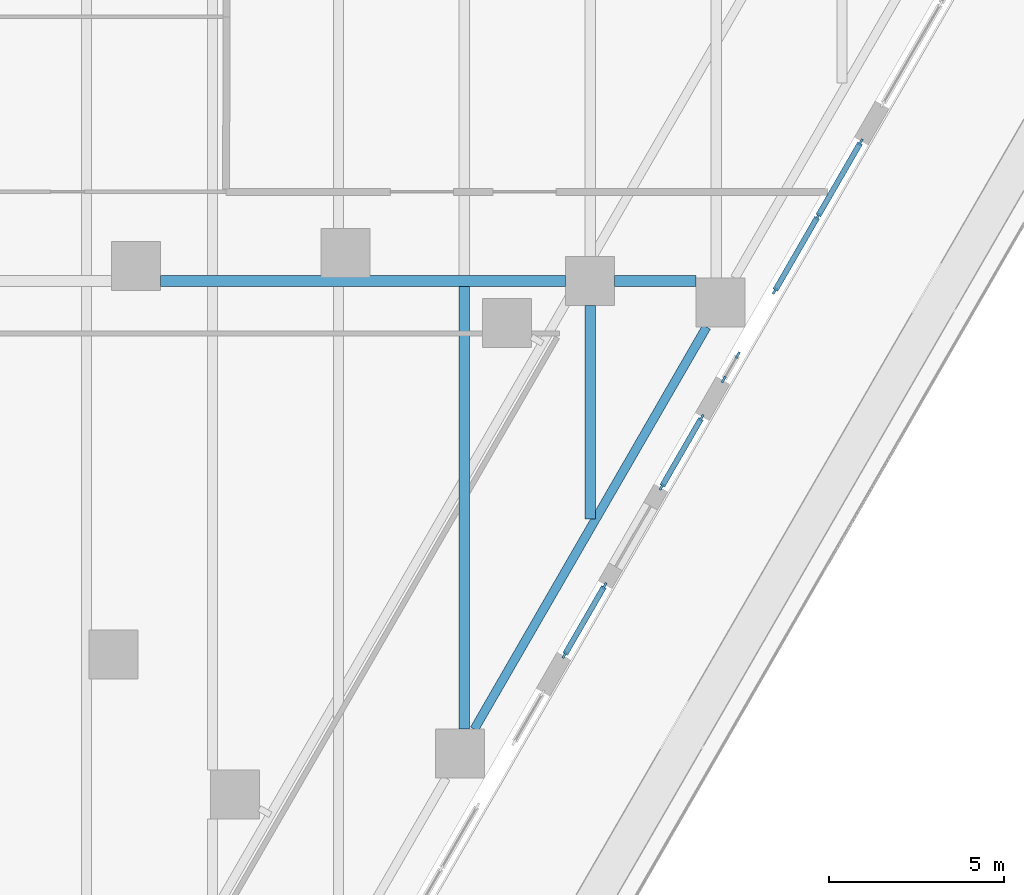
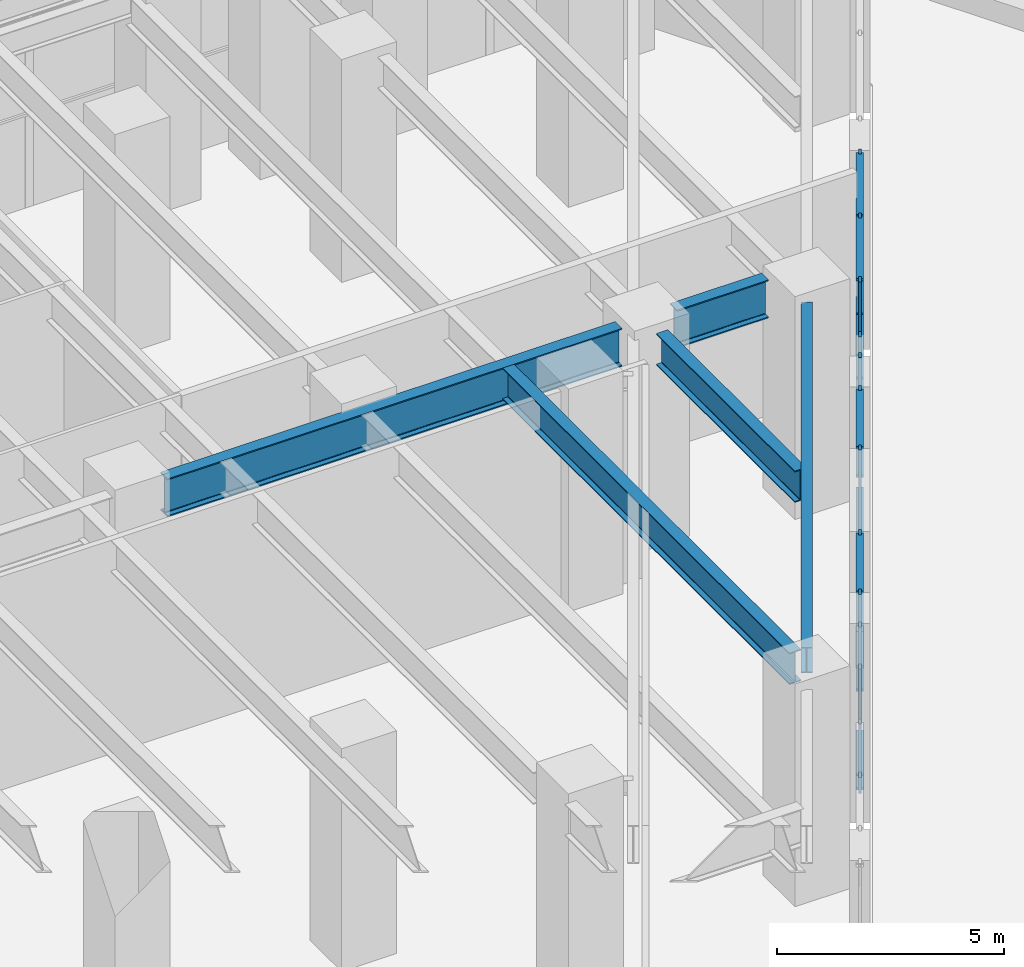
# One storey, part 16 of 40: 21 members, 5 beams, 4 elements without a shape of their own.
"""IFC4 building model written with IfcOpenShell, lengths in metres."""

from ifc_helpers import new_model, si_unit, direction, frame, origin, origin_2d, place, context, subcontext, project, spatial, rectangle, i_section, extrude, material, material_profile, profile_set, type_object, element, aggregate, save


model = new_model("IFC4")

# Units and contexts
model_context = context("Model", 3, precision=1e-05, world=origin(), true_north=direction((0.0, 1.0)))
body_context = subcontext(model_context, "Body", "Model", "MODEL_VIEW")
ifc_project = project(units=[si_unit("LENGTHUNIT", "METRE"), si_unit("AREAUNIT", "SQUARE_METRE"), si_unit("VOLUMEUNIT", "CUBIC_METRE"), si_unit("PLANEANGLEUNIT", "RADIAN"), si_unit("MASSUNIT", "GRAM", prefix="KILO")], contexts=[model_context])

# Site, building, storey
site_placement = place(None, origin())
site = spatial("IfcSite", under=ifc_project, at=site_placement, CompositionType="ELEMENT")
building_placement = place(site_placement, origin())
building = spatial("IfcBuilding", under=site, at=building_placement, Name="Aloe Facet Convention Tower", CompositionType="ELEMENT")
storey_placement = place(building_placement, frame((0.0, 0.0, 13.5)))
storey = spatial("IfcBuildingStorey", under=building, at=storey_placement, Name="L02", CompositionType="ELEMENT", Elevation=13.5)

# Curtain wall, members
ifc_material_1 = material(Name="Aluminium, anodised", Category="aluminium")
curtain_wall_type = type_object("IfcCurtainWallType", Name="EV-CW-HALL", PredefinedType="USERDEFINED", material=ifc_material_1)
curtain_wall_1_placement = place(storey_placement, origin())
curtain_wall_1 = element("IfcCurtainWall", 1, at=curtain_wall_1_placement, inside=storey, type_object=curtain_wall_type, Name="CW-L02-E16A", ObjectType="UNITISED HALL GLAZING", PredefinedType="USERDEFINED")
ifc_material_2 = material(Name="Aluminium, anodised", Category="aluminium")
ifc_material_profile_1 = material_profile(ifc_material_2, rectangle(XDim=0.06494140625, YDim=0.199951171875, at=origin_2d()), Name="AL 65x200")
ifc_profile_set_1 = profile_set([ifc_material_profile_1], Name="Aluminium, anodised")
member_type_1 = type_object("IfcMemberType", Name="EV-MULL-HALL", PredefinedType="MULLION", material=ifc_profile_set_1)
member_1_placement = place(storey_placement, frame((115.26708984375, 106.30517578125, -0.300048828125), z_axis=(0.0, 0.0, 1.0), x_axis=(-0.866025403758, 0.500000000045, 0.0)))
member_1 = element("IfcMember", 2, at=member_1_placement, type_object=member_type_1, Name="CW-L02-E16A mullion 1", PredefinedType="MULLION", context=body_context, shape_type="SweptSolid", body=[
    extrude(rectangle(XDim=0.06494140625, YDim=0.199951171875, at=origin_2d()), origin(), (0.0, 0.0, 1.0), 5.362548828125),
])
member_2_placement = place(storey_placement, frame((116.409423828125, 108.283447265625, -0.300048828125), z_axis=(0.0, 0.0, 1.0), x_axis=(-0.866025403758, 0.500000000045, 0.0)))
member_2 = element("IfcMember", 3, at=member_2_placement, type_object=member_type_1, Name="CW-L02-E16A mullion 2", PredefinedType="MULLION", context=body_context, shape_type="SweptSolid", body=[
    extrude(rectangle(XDim=0.06494140625, YDim=0.199951171875, at=origin_2d()), origin(), (0.0, 0.0, 1.0), 5.362548828125),
])

curtain_wall_2_placement = place(storey_placement, origin())
curtain_wall_2 = element("IfcCurtainWall", 4, at=curtain_wall_2_placement, inside=storey, type_object=curtain_wall_type, Name="CW-L02-E16B", ObjectType="UNITISED HALL GLAZING", PredefinedType="USERDEFINED")
member_3_placement = place(storey_placement, frame((118.0419921875, 111.111083984375, -0.300048828125), z_axis=(0.0, 0.0, 1.0), x_axis=(-0.866025403837, 0.499999999909, 0.0)))
member_3 = element("IfcMember", 5, at=member_3_placement, type_object=member_type_1, Name="CW-L02-E16B mullion 1", PredefinedType="MULLION", context=body_context, shape_type="SweptSolid", body=[
    extrude(rectangle(XDim=0.06494140625, YDim=0.199951171875, at=origin_2d()), origin(), (0.0, 0.0, 1.0), 5.362548828125),
])
member_4_placement = place(storey_placement, frame((119.18408203125, 113.08935546875, -0.300048828125), z_axis=(0.0, 0.0, 1.0), x_axis=(-0.866025403837, 0.499999999909, 0.0)))
member_4 = element("IfcMember", 6, at=member_4_placement, type_object=member_type_1, Name="CW-L02-E16B mullion 2", PredefinedType="MULLION", context=body_context, shape_type="SweptSolid", body=[
    extrude(rectangle(XDim=0.06494140625, YDim=0.199951171875, at=origin_2d()), origin(), (0.0, 0.0, 1.0), 5.362548828125),
])

curtain_wall_3_placement = place(storey_placement, origin())
curtain_wall_3 = element("IfcCurtainWall", 7, at=curtain_wall_3_placement, inside=storey, type_object=curtain_wall_type, Name="CW-L02-E18-1", ObjectType="UNITISED HALL GLAZING", PredefinedType="USERDEFINED")
member_5_placement = place(storey_placement, frame((119.816650390625, 114.184814453125, -0.300048828125), z_axis=(0.0, 0.0, 1.0), x_axis=(-0.866025403671, 0.500000000196, 0.0)))
member_5 = element("IfcMember", 8, at=member_5_placement, type_object=member_type_1, Name="CW-L02-E18-1 mullion 1", PredefinedType="MULLION", context=body_context, shape_type="SweptSolid", body=[
    extrude(rectangle(XDim=0.06494140625, YDim=0.199951171875, at=origin_2d()), origin(), (0.0, 0.0, 1.0), 5.362548828125),
])
member_6_placement = place(storey_placement, frame((120.218994140625, 114.882080078125, -0.300048828125), z_axis=(0.0, 0.0, 1.0), x_axis=(-0.866025403671, 0.500000000196, 0.0)))
member_6 = element("IfcMember", 9, at=member_6_placement, type_object=member_type_1, Name="CW-L02-E18-1 mullion 2", PredefinedType="MULLION", context=body_context, shape_type="SweptSolid", body=[
    extrude(rectangle(XDim=0.06494140625, YDim=0.199951171875, at=origin_2d()), origin(), (0.0, 0.0, 1.0), 5.362548828125),
])
aggregate(curtain_wall_3, [member_5, member_6])

curtain_wall_4_placement = place(storey_placement, origin())
curtain_wall_4 = element("IfcCurtainWall", 10, at=curtain_wall_4_placement, inside=storey, type_object=curtain_wall_type, Name="CW-L02-E18-2", ObjectType="UNITISED HALL GLAZING", PredefinedType="USERDEFINED")
member_7_placement = place(storey_placement, frame((121.276123046875, 116.712890625, -0.300048828125), z_axis=(0.0, 0.0, 1.0), x_axis=(-0.866025403819, 0.49999999994, 0.0)))
member_7 = element("IfcMember", 11, at=member_7_placement, type_object=member_type_1, Name="CW-L02-E18-2 mullion 1", PredefinedType="MULLION", context=body_context, shape_type="SweptSolid", body=[
    extrude(rectangle(XDim=0.06494140625, YDim=0.199951171875, at=origin_2d()), origin(), (0.0, 0.0, 1.0), 5.362548828125),
])
member_8_placement = place(storey_placement, frame((122.5048828125, 118.841064453125, -0.300048828125), z_axis=(0.0, 0.0, 1.0), x_axis=(-0.866025403819, 0.49999999994, 0.0)))
member_8 = element("IfcMember", 12, at=member_8_placement, type_object=member_type_1, Name="CW-L02-E18-2 mullion 2", PredefinedType="MULLION", context=body_context, shape_type="SweptSolid", body=[
    extrude(rectangle(XDim=0.06494140625, YDim=0.199951171875, at=origin_2d()), origin(), (0.0, 0.0, 1.0), 5.362548828125),
])
member_9_placement = place(storey_placement, frame((123.7333984375, 120.96923828125, -0.300048828125), z_axis=(0.0, 0.0, 1.0), x_axis=(-0.866025403819, 0.49999999994, 0.0)))
member_9 = element("IfcMember", 13, at=member_9_placement, type_object=member_type_1, Name="CW-L02-E18-2 mullion 3", PredefinedType="MULLION", context=body_context, shape_type="SweptSolid", body=[
    extrude(rectangle(XDim=0.06494140625, YDim=0.199951171875, at=origin_2d()), origin(), (0.0, 0.0, 1.0), 5.362548828125),
])

# Member
ifc_material_3 = material(Name="Aluminium, anodised", Category="aluminium")
ifc_material_profile_2 = material_profile(ifc_material_3, rectangle(XDim=0.159912109375, YDim=0.06494140625, at=origin_2d()), Name="AL 160x65")
ifc_profile_set_2 = profile_set([ifc_material_profile_2], Name="Aluminium, anodised")
member_type_2 = type_object("IfcMemberType", Name="EV-TRAN-HALL", PredefinedType="USERDEFINED", material=ifc_profile_set_2)
member_10_placement = place(storey_placement, frame((115.283447265625, 106.333251953125, -0.267578125), z_axis=(0.49996050843, 0.866048203052, 0.0), x_axis=(-0.866048203052, 0.49996050843, 0.0)))
member_10 = element("IfcMember", 14, at=member_10_placement, type_object=member_type_2, Name="CW-L02-E16A transom 1.1", ObjectType="TRANSOM", PredefinedType="USERDEFINED", context=body_context, shape_type="SweptSolid", body=[
    extrude(rectangle(XDim=0.159912109375, YDim=0.06494140625, at=origin_2d()), origin(), (0.0, 0.0, 1.0), 2.219482421875),
])

member_11_placement = place(storey_placement, frame((115.283447265625, 106.333251953125, 2.38134765625), z_axis=(0.49996050843, 0.866048203052, 0.0), x_axis=(-0.866048203052, 0.49996050843, 0.0)))
member_11 = element("IfcMember", 15, at=member_11_placement, type_object=member_type_2, Name="CW-L02-E16A transom 1.2", ObjectType="TRANSOM", PredefinedType="USERDEFINED", context=body_context, shape_type="SweptSolid", body=[
    extrude(rectangle(XDim=0.159912109375, YDim=0.06494140625, at=origin_2d()), origin(), (0.0, 0.0, 1.0), 2.219482421875),
])

member_12_placement = place(storey_placement, frame((115.283447265625, 106.333251953125, 5.030029296875), z_axis=(0.49996050843, 0.866048203052, 0.0), x_axis=(-0.866048203052, 0.49996050843, 0.0)))
member_12 = element("IfcMember", 16, at=member_12_placement, type_object=member_type_2, Name="CW-L02-E16A transom 1.3", ObjectType="TRANSOM", PredefinedType="USERDEFINED", context=body_context, shape_type="SweptSolid", body=[
    extrude(rectangle(XDim=0.159912109375, YDim=0.06494140625, at=origin_2d()), origin(), (0.0, 0.0, 1.0), 2.219482421875),
])

aggregate(curtain_wall_1, [member_1, member_2, member_10, member_11, member_12])

member_13_placement = place(storey_placement, frame((118.05810546875, 111.13916015625, -0.267578125), z_axis=(0.500043007702, 0.866000571852, 0.0), x_axis=(-0.866000571852, 0.500043007702, 0.0)))
member_13 = element("IfcMember", 17, at=member_13_placement, type_object=member_type_2, Name="CW-L02-E16B transom 1.1", ObjectType="TRANSOM", PredefinedType="USERDEFINED", context=body_context, shape_type="SweptSolid", body=[
    extrude(rectangle(XDim=0.159912109375, YDim=0.06494140625, at=origin_2d()), origin(), (0.0, 0.0, 1.0), 2.219482421875),
])

member_14_placement = place(storey_placement, frame((118.05810546875, 111.13916015625, 2.38134765625), z_axis=(0.500043007702, 0.866000571852, 0.0), x_axis=(-0.866000571852, 0.500043007702, 0.0)))
member_14 = element("IfcMember", 18, at=member_14_placement, type_object=member_type_2, Name="CW-L02-E16B transom 1.2", ObjectType="TRANSOM", PredefinedType="USERDEFINED", context=body_context, shape_type="SweptSolid", body=[
    extrude(rectangle(XDim=0.159912109375, YDim=0.06494140625, at=origin_2d()), origin(), (0.0, 0.0, 1.0), 2.219482421875),
])

member_15_placement = place(storey_placement, frame((118.05810546875, 111.13916015625, 5.030029296875), z_axis=(0.500043007702, 0.866000571852, 0.0), x_axis=(-0.866000571852, 0.500043007702, 0.0)))
member_15 = element("IfcMember", 19, at=member_15_placement, type_object=member_type_2, Name="CW-L02-E16B transom 1.3", ObjectType="TRANSOM", PredefinedType="USERDEFINED", context=body_context, shape_type="SweptSolid", body=[
    extrude(rectangle(XDim=0.159912109375, YDim=0.06494140625, at=origin_2d()), origin(), (0.0, 0.0, 1.0), 2.219482421875),
])

aggregate(curtain_wall_2, [member_3, member_4, member_13, member_14, member_15])

member_16_placement = place(storey_placement, frame((121.29248046875, 116.740966796875, -0.267578125), z_axis=(0.499925626596, 0.866068339032, 0.0), x_axis=(-0.866068339032, 0.499925626596, 0.0)))
member_16 = element("IfcMember", 20, at=member_16_placement, type_object=member_type_2, Name="CW-L02-E18-2 transom 1.1", ObjectType="TRANSOM", PredefinedType="USERDEFINED", context=body_context, shape_type="SweptSolid", body=[
    extrude(rectangle(XDim=0.159912109375, YDim=0.06494140625, at=origin_2d()), origin(), (0.0, 0.0, 1.0), 2.392333984375),
])

member_17_placement = place(storey_placement, frame((121.29248046875, 116.740966796875, 2.38134765625), z_axis=(0.499925626596, 0.866068339032, 0.0), x_axis=(-0.866068339032, 0.499925626596, 0.0)))
member_17 = element("IfcMember", 21, at=member_17_placement, type_object=member_type_2, Name="CW-L02-E18-2 transom 1.2", ObjectType="TRANSOM", PredefinedType="USERDEFINED", context=body_context, shape_type="SweptSolid", body=[
    extrude(rectangle(XDim=0.159912109375, YDim=0.06494140625, at=origin_2d()), origin(), (0.0, 0.0, 1.0), 2.392333984375),
])

member_18_placement = place(storey_placement, frame((121.29248046875, 116.740966796875, 5.030029296875), z_axis=(0.499925626596, 0.866068339032, 0.0), x_axis=(-0.866068339032, 0.499925626596, 0.0)))
member_18 = element("IfcMember", 22, at=member_18_placement, type_object=member_type_2, Name="CW-L02-E18-2 transom 1.3", ObjectType="TRANSOM", PredefinedType="USERDEFINED", context=body_context, shape_type="SweptSolid", body=[
    extrude(rectangle(XDim=0.159912109375, YDim=0.06494140625, at=origin_2d()), origin(), (0.0, 0.0, 1.0), 2.392333984375),
])

member_19_placement = place(storey_placement, frame((122.52099609375, 118.869140625, -0.267578125), z_axis=(0.500046351717, 0.865998640954, 0.0), x_axis=(-0.865998640954, 0.500046351717, 0.0)))
member_19 = element("IfcMember", 23, at=member_19_placement, type_object=member_type_2, Name="CW-L02-E18-2 transom 2.1", ObjectType="TRANSOM", PredefinedType="USERDEFINED", context=body_context, shape_type="SweptSolid", body=[
    extrude(rectangle(XDim=0.159912109375, YDim=0.06494140625, at=origin_2d()), origin(), (0.0, 0.0, 1.0), 2.392333984375),
])

member_20_placement = place(storey_placement, frame((122.52099609375, 118.869140625, 2.38134765625), z_axis=(0.500046351717, 0.865998640954, 0.0), x_axis=(-0.865998640954, 0.500046351717, 0.0)))
member_20 = element("IfcMember", 24, at=member_20_placement, type_object=member_type_2, Name="CW-L02-E18-2 transom 2.2", ObjectType="TRANSOM", PredefinedType="USERDEFINED", context=body_context, shape_type="SweptSolid", body=[
    extrude(rectangle(XDim=0.159912109375, YDim=0.06494140625, at=origin_2d()), origin(), (0.0, 0.0, 1.0), 2.392333984375),
])

member_21_placement = place(storey_placement, frame((122.52099609375, 118.869140625, 5.030029296875), z_axis=(0.500046351717, 0.865998640954, 0.0), x_axis=(-0.865998640954, 0.500046351717, 0.0)))
member_21 = element("IfcMember", 25, at=member_21_placement, type_object=member_type_2, Name="CW-L02-E18-2 transom 2.3", ObjectType="TRANSOM", PredefinedType="USERDEFINED", context=body_context, shape_type="SweptSolid", body=[
    extrude(rectangle(XDim=0.159912109375, YDim=0.06494140625, at=origin_2d()), origin(), (0.0, 0.0, 1.0), 2.392333984375),
])

aggregate(curtain_wall_4, [member_7, member_8, member_9, member_16, member_17, member_18, member_19, member_20, member_21])

# Beams
ifc_material_4 = material(Name="Steel S355", Category="steel")
ifc_material_profile_3 = material_profile(ifc_material_4, i_section(OverallWidth=0.305419921875, OverallDepth=1.02587890625, WebThickness=0.02001953125, FlangeThickness=0.031005859375, FilletRadius=0.030029296875, at=origin_2d()), Name="UB 1016x305x349")
ifc_profile_set_3 = profile_set([ifc_material_profile_3], Name="Steel S355")
beam_type_1 = type_object("IfcBeamType", Name="SF-B-UB1016x305x349", PredefinedType="BEAM", material=ifc_profile_set_3)
beam_1_placement = place(storey_placement, frame((103.716064453125, 117.0, 5.237060546875), z_axis=(1.0, 0.0, 0.0), x_axis=(0.0, 1.0, 0.0)))
element("IfcBeam", 26, at=beam_1_placement, inside=storey, type_object=beam_type_1, Name="Floor beam FB-L03-038", PredefinedType="BEAM", context=body_context, shape_type="SweptSolid", body=[
    extrude(i_section(OverallWidth=0.305419921875, OverallDepth=1.02587890625, WebThickness=0.02001953125, FlangeThickness=0.031005859375, FilletRadius=0.030029296875, at=origin_2d()), origin(), (0.0, 0.0, 1.0), 11.583984375),
])
beam_2_placement = place(storey_placement, frame((116.699951171875, 117.0, 5.237060546875), z_axis=(1.0, 0.0, 0.0), x_axis=(0.0, 1.0, 0.0)))
element("IfcBeam", 27, at=beam_2_placement, inside=storey, type_object=beam_type_1, Name="Floor beam FB-L03-039", PredefinedType="BEAM", context=body_context, shape_type="SweptSolid", body=[
    extrude(i_section(OverallWidth=0.305419921875, OverallDepth=1.02587890625, WebThickness=0.02001953125, FlangeThickness=0.031005859375, FilletRadius=0.030029296875, at=origin_2d()), origin(), (0.0, 0.0, 1.0), 2.330078125),
])
ifc_material_5 = material(Name="Steel S355", Category="steel")
ifc_material_profile_4 = material_profile(ifc_material_5, i_section(OverallWidth=0.25439453125, OverallDepth=0.6875, WebThickness=0.01318359375, FlangeThickness=0.02099609375, FilletRadius=0.01513671875, at=origin_2d()), Name="UB 686x254x152")
ifc_profile_set_4 = profile_set([ifc_material_profile_4], Name="Steel S355")
beam_type_2 = type_object("IfcBeamType", Name="SF-B-UB686x254x152", PredefinedType="BEAM", material=ifc_profile_set_4)
beam_3_placement = place(storey_placement, frame((119.325927734375, 115.68505859375, 5.40625), z_axis=(-0.50000679685, -0.866021479586, 0.0), x_axis=(0.866021479586, -0.50000679685, 0.0)))
element("IfcBeam", 28, at=beam_3_placement, inside=storey, type_object=beam_type_2, Name="Floor beam FB-L03-022", PredefinedType="BEAM", context=body_context, shape_type="SweptSolid", body=[
    extrude(i_section(OverallWidth=0.25439453125, OverallDepth=0.6875, WebThickness=0.01318359375, FlangeThickness=0.02099609375, FilletRadius=0.01513671875, at=origin_2d()), origin(), (0.0, 0.0, 1.0), 13.279052734375),
])
ifc_material_6 = material(Name="Steel S355", Category="steel")
ifc_material_profile_5 = material_profile(ifc_material_6, i_section(OverallWidth=0.293701171875, OverallDepth=0.850830078125, WebThickness=0.01611328125, FlangeThickness=0.02685546875, FilletRadius=0.017822265625, at=origin_2d()), Name="UB 838x292x226")
ifc_profile_set_5 = profile_set([ifc_material_profile_5], Name="Steel S355")
beam_type_3 = type_object("IfcBeamType", Name="SF-B-UB838x292x226", PredefinedType="BEAM", material=ifc_profile_set_5)
beam_4_placement = place(storey_placement, frame((112.39990234375, 104.18505859375, 5.324462890625), z_axis=(0.0, 1.0, 0.0), x_axis=(-1.0, 0.0, 0.0)))
element("IfcBeam", 29, at=beam_4_placement, inside=storey, type_object=beam_type_3, Name="Floor beam FB-L03-129", PredefinedType="BEAM", context=body_context, shape_type="SweptSolid", body=[
    extrude(i_section(OverallWidth=0.293701171875, OverallDepth=0.850830078125, WebThickness=0.01611328125, FlangeThickness=0.02685546875, FilletRadius=0.017822265625, at=origin_2d()), origin(), (0.0, 0.0, 1.0), 12.662353515625),
])
beam_5_placement = place(storey_placement, frame((116.0, 110.18896484375, 5.324462890625), z_axis=(0.0, 1.0, 0.0), x_axis=(-1.0, 0.0, 0.0)))
element("IfcBeam", 30, at=beam_5_placement, inside=storey, type_object=beam_type_3, Name="Floor beam FB-L03-131", PredefinedType="BEAM", context=body_context, shape_type="SweptSolid", body=[
    extrude(i_section(OverallWidth=0.293701171875, OverallDepth=0.850830078125, WebThickness=0.01611328125, FlangeThickness=0.02685546875, FilletRadius=0.017822265625, at=origin_2d()), origin(), (0.0, 0.0, 1.0), 6.111083984375),
])

save(model, "model.ifc")
